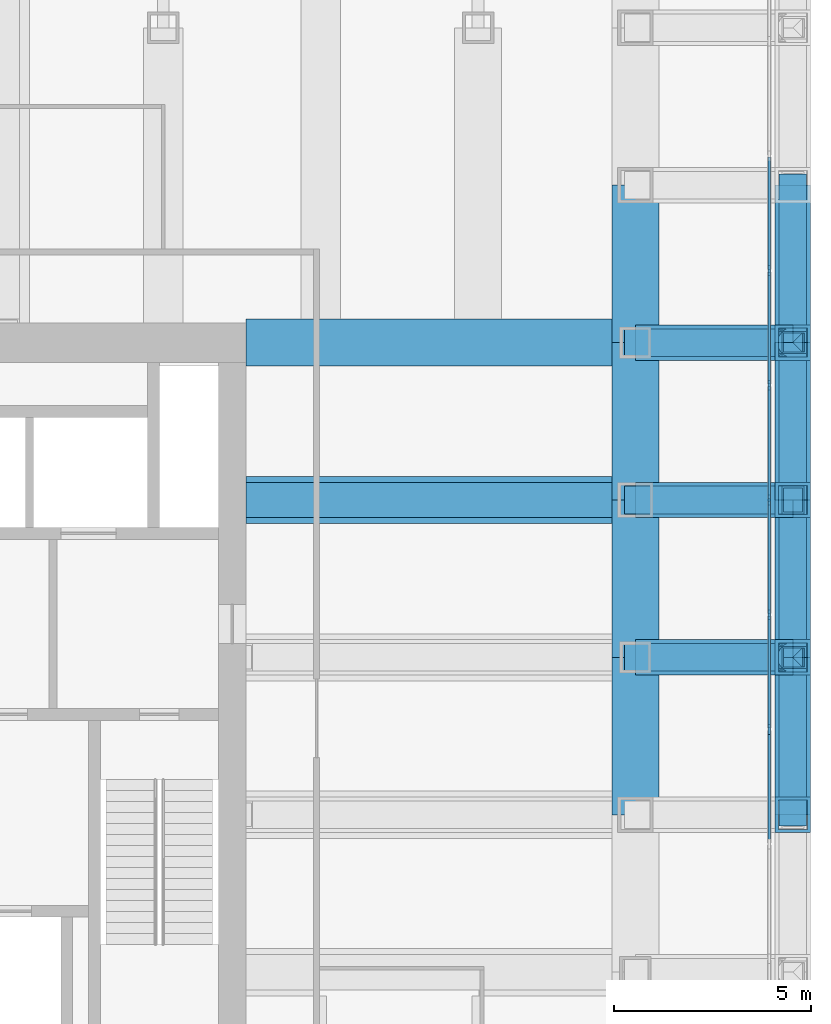
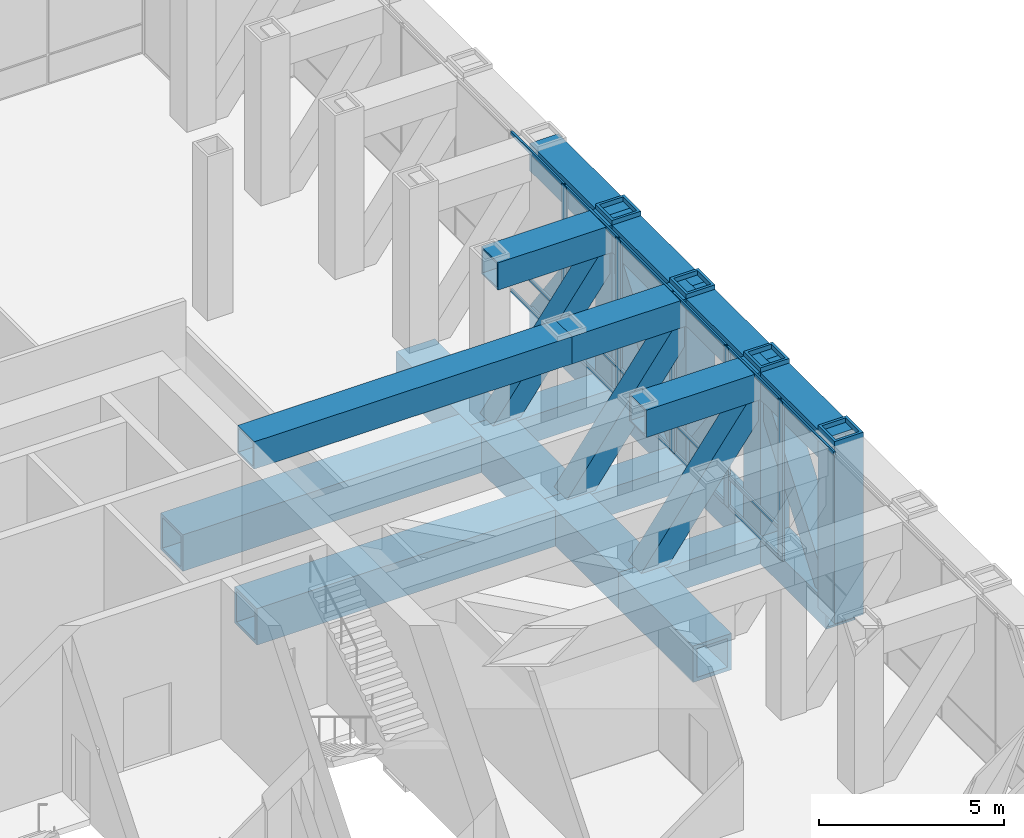
# One storey, part 5 of 12: 32 members, 21 beams, 1 element without a shape of its own.
"""IFC4 building model written with IfcOpenShell, lengths in metres."""

from ifc_helpers import new_model, si_unit, direction, frame, origin, origin_2d, place, context, subcontext, project, spatial, rectangle, hollow_rectangle, extrude, material, material_profile, profile_set, type_object, element, aggregate, save


model = new_model("IFC4")

# Units and contexts
model_context = context("Model", 3, precision=1e-05, world=origin(), true_north=direction((0.0, 1.0)))
body_context = subcontext(model_context, "Body", "Model", "MODEL_VIEW")
ifc_project = project(units=[si_unit("LENGTHUNIT", "METRE"), si_unit("AREAUNIT", "SQUARE_METRE"), si_unit("VOLUMEUNIT", "CUBIC_METRE"), si_unit("PLANEANGLEUNIT", "RADIAN"), si_unit("MASSUNIT", "GRAM", prefix="KILO")], contexts=[model_context])

# Site, building, storey
site_placement = place(None, origin())
site = spatial("IfcSite", under=ifc_project, at=site_placement, CompositionType="ELEMENT")
building_placement = place(site_placement, origin())
building = spatial("IfcBuilding", under=site, at=building_placement, Name="Rimbunsela Tower", CompositionType="ELEMENT")
storey_placement = place(building_placement, frame((0.0, 0.0, 203.800048828125)))
storey = spatial("IfcBuildingStorey", under=building, at=storey_placement, Name="L49", CompositionType="ELEMENT", Elevation=203.800048828125)

# Beams
ifc_material_1 = material(Name="Steel BJ 55 (fy 410 MPa)", Category="steel")
ifc_material_profile_1 = material_profile(ifc_material_1, hollow_rectangle(XDim=1.199951171875, YDim=1.199951171875, WallThickness=0.10009765625, at=origin_2d()), Name="BOX 1200x1200x100")
ifc_profile_set_1 = profile_set([ifc_material_profile_1], Name="Steel BJ 55 (fy 410 MPa)")
beam_type_1 = type_object("IfcBeamType", Name="Beam BOX 1200x1200x100", PredefinedType="BEAM", material=ifc_profile_set_1)
for number, where, z_axis, x_axis, name in (
    (1, (36.10009765625, 32.0, -0.75), (1.0, 0.0, 0.0), (0.0, 1.0, 0.0), "Beam B5 L49"),
    (2, (36.10009765625, 36.0, -0.75), (1.0, 0.0, 0.0), (0.0, 1.0, 0.0), "Beam B5 L49"),
):
    element("IfcBeam", number, at=place(storey_placement, frame(where, z_axis=z_axis, x_axis=x_axis)), inside=storey, type_object=beam_type_1, Name=name, PredefinedType="BEAM", context=body_context, shape_type="SweptSolid", body=[
        extrude(hollow_rectangle(XDim=1.199951171875, YDim=1.199951171875, WallThickness=0.10009765625, at=origin_2d()), origin(), (0.0, 0.0, 1.0), 9.89990234375),
    ])
ifc_material_2 = material(Name="Steel BJ 55 (fy 410 MPa)", Category="steel")
ifc_material_profile_2 = material_profile(ifc_material_2, hollow_rectangle(XDim=1.199951171875, YDim=1.199951171875, WallThickness=0.125, at=origin_2d()), Name="BOX 1200x1200x125")
ifc_profile_set_2 = profile_set([ifc_material_profile_2], Name="Steel BJ 55 (fy 410 MPa)")
beam_type_2 = type_object("IfcBeamType", Name="Beam BOX 1200x1200x125", PredefinedType="BEAM", material=ifc_profile_set_2)
for number, where, z_axis, x_axis, name in (
    (3, (46.0, 24.0, -0.75), (0.0, 1.0, 0.0), (-1.0, 0.0, 0.0), "Beam B4 L49"),
    (4, (46.0, 28.0, -0.75), (0.0, 1.0, 0.0), (-1.0, 0.0, 0.0), "Beam B4 L49"),
    (5, (46.0, 32.0, -0.75), (0.0, 1.0, 0.0), (-1.0, 0.0, 0.0), "Beam B4 L49"),
    (6, (46.0, 36.0, -0.75), (0.0, 1.0, 0.0), (-1.0, 0.0, 0.0), "Beam B4 L49"),
):
    element("IfcBeam", number, at=place(storey_placement, frame(where, z_axis=z_axis, x_axis=x_axis)), inside=storey, type_object=beam_type_2, Name=name, PredefinedType="BEAM", context=body_context, shape_type="SweptSolid", body=[
        extrude(hollow_rectangle(XDim=1.199951171875, YDim=1.199951171875, WallThickness=0.125, at=origin_2d()), origin(), (0.0, 0.0, 1.0), 4.0),
    ])

# Curtain wall, members
ifc_material_3 = material(Name="Aluminium curtain wall", Category="aluminium")
curtain_wall_type = type_object("IfcCurtainWallType", Name="Plant floor louvre wall", PredefinedType="USERDEFINED", material=ifc_material_3)
curtain_wall_placement = place(storey_placement, origin())
curtain_wall = element("IfcCurtainWall", 7, at=curtain_wall_placement, inside=storey, type_object=curtain_wall_type, Name="Plant floor louvre wall L49", ObjectType="PLANT FLOOR LOUVRE WALL", PredefinedType="USERDEFINED")
ifc_material_4 = material(Name="Aluminium mullion", Category="aluminium")
ifc_material_profile_3 = material_profile(ifc_material_4, rectangle(XDim=0.06005859375, YDim=0.25, at=origin_2d()), Name="Mullion 60x250")
ifc_profile_set_3 = profile_set([ifc_material_profile_3], Name="Aluminium mullion")
member_type_1 = type_object("IfcMemberType", Name="Curtain wall mullion 60x250", PredefinedType="MULLION", material=ifc_profile_set_3)
member_1_placement = place(storey_placement, frame((49.39990234375, 26.17138671875, 0.0), z_axis=(0.0, 0.0, 1.0), x_axis=(-1.0, 0.0, 0.0)))
member_1 = element("IfcMember", 8, at=member_1_placement, type_object=member_type_1, Name="CW3 mullion 6", PredefinedType="MULLION", context=body_context, shape_type="SweptSolid", body=[
    extrude(rectangle(XDim=0.06005859375, YDim=0.25, at=origin_2d()), origin(), (0.0, 0.0, 1.0), 5.25),
])
member_2_placement = place(storey_placement, frame((49.39990234375, 29.085693359375, 0.0), z_axis=(0.0, 0.0, 1.0), x_axis=(-1.0, 0.0, 0.0)))
member_2 = element("IfcMember", 9, at=member_2_placement, type_object=member_type_1, Name="CW3 mullion 7", PredefinedType="MULLION", context=body_context, shape_type="SweptSolid", body=[
    extrude(rectangle(XDim=0.06005859375, YDim=0.25, at=origin_2d()), origin(), (0.0, 0.0, 1.0), 5.25),
])
member_3_placement = place(storey_placement, frame((49.39990234375, 32.0, 0.0), z_axis=(0.0, 0.0, 1.0), x_axis=(-1.0, 0.0, 0.0)))
member_3 = element("IfcMember", 10, at=member_3_placement, type_object=member_type_1, Name="CW3 mullion 8", PredefinedType="MULLION", context=body_context, shape_type="SweptSolid", body=[
    extrude(rectangle(XDim=0.06005859375, YDim=0.25, at=origin_2d()), origin(), (0.0, 0.0, 1.0), 5.25),
])
member_4_placement = place(storey_placement, frame((49.39990234375, 34.914306640625, 0.0), z_axis=(0.0, 0.0, 1.0), x_axis=(-1.0, 0.0, 0.0)))
member_4 = element("IfcMember", 11, at=member_4_placement, type_object=member_type_1, Name="CW3 mullion 9", PredefinedType="MULLION", context=body_context, shape_type="SweptSolid", body=[
    extrude(rectangle(XDim=0.06005859375, YDim=0.25, at=origin_2d()), origin(), (0.0, 0.0, 1.0), 5.25),
])
member_5_placement = place(storey_placement, frame((49.39990234375, 37.82861328125, 0.0), z_axis=(0.0, 0.0, 1.0), x_axis=(-1.0, 0.0, 0.0)))
member_5 = element("IfcMember", 12, at=member_5_placement, type_object=member_type_1, Name="CW3 mullion 10", PredefinedType="MULLION", context=body_context, shape_type="SweptSolid", body=[
    extrude(rectangle(XDim=0.06005859375, YDim=0.25, at=origin_2d()), origin(), (0.0, 0.0, 1.0), 5.25),
])
ifc_material_5 = material(Name="Aluminium transom", Category="aluminium")
ifc_material_profile_4 = material_profile(ifc_material_5, rectangle(XDim=0.06005859375, YDim=0.1201171875, at=origin_2d()), Name="Transom 60x120")
ifc_profile_set_4 = profile_set([ifc_material_profile_4], Name="Aluminium transom")
member_type_2 = type_object("IfcMemberType", Name="Curtain wall transom 60x120", PredefinedType="USERDEFINED", material=ifc_profile_set_4)
member_6_placement = place(storey_placement, frame((49.39990234375, 23.287109375, 5.219970703125), z_axis=(0.0, 1.0, 0.0), x_axis=(-1.0, 0.0, 0.0)))
member_6 = element("IfcMember", 13, at=member_6_placement, type_object=member_type_2, Name="CW3 transom 5.3", ObjectType="TRANSOM", PredefinedType="USERDEFINED", context=body_context, shape_type="SweptSolid", body=[
    extrude(rectangle(XDim=0.06005859375, YDim=0.1201171875, at=origin_2d()), origin(), (0.0, 0.0, 1.0), 2.854248046875),
])
member_7_placement = place(storey_placement, frame((49.39990234375, 26.201416015625, 0.030029296875), z_axis=(0.0, 1.0, 0.0), x_axis=(-1.0, 0.0, 0.0)))
member_7 = element("IfcMember", 14, at=member_7_placement, type_object=member_type_2, Name="CW3 transom 6.1", ObjectType="TRANSOM", PredefinedType="USERDEFINED", context=body_context, shape_type="SweptSolid", body=[
    extrude(rectangle(XDim=0.06005859375, YDim=0.1201171875, at=origin_2d()), origin(), (0.0, 0.0, 1.0), 2.854248046875),
])
member_8_placement = place(storey_placement, frame((49.39990234375, 26.201416015625, 1.0), z_axis=(0.0, 1.0, 0.0), x_axis=(-1.0, 0.0, 0.0)))
member_8 = element("IfcMember", 15, at=member_8_placement, type_object=member_type_2, Name="CW3 transom 6.2", ObjectType="TRANSOM", PredefinedType="USERDEFINED", context=body_context, shape_type="SweptSolid", body=[
    extrude(rectangle(XDim=0.06005859375, YDim=0.1201171875, at=origin_2d()), origin(), (0.0, 0.0, 1.0), 2.854248046875),
])
member_9_placement = place(storey_placement, frame((49.39990234375, 26.201416015625, 5.219970703125), z_axis=(0.0, 1.0, 0.0), x_axis=(-1.0, 0.0, 0.0)))
member_9 = element("IfcMember", 16, at=member_9_placement, type_object=member_type_2, Name="CW3 transom 6.3", ObjectType="TRANSOM", PredefinedType="USERDEFINED", context=body_context, shape_type="SweptSolid", body=[
    extrude(rectangle(XDim=0.06005859375, YDim=0.1201171875, at=origin_2d()), origin(), (0.0, 0.0, 1.0), 2.854248046875),
])
member_10_placement = place(storey_placement, frame((49.39990234375, 29.11572265625, 0.030029296875), z_axis=(0.0, 1.0, 0.0), x_axis=(-1.0, 0.0, 0.0)))
member_10 = element("IfcMember", 17, at=member_10_placement, type_object=member_type_2, Name="CW3 transom 7.1", ObjectType="TRANSOM", PredefinedType="USERDEFINED", context=body_context, shape_type="SweptSolid", body=[
    extrude(rectangle(XDim=0.06005859375, YDim=0.1201171875, at=origin_2d()), origin(), (0.0, 0.0, 1.0), 2.854248046875),
])
member_11_placement = place(storey_placement, frame((49.39990234375, 29.11572265625, 1.0), z_axis=(0.0, 1.0, 0.0), x_axis=(-1.0, 0.0, 0.0)))
member_11 = element("IfcMember", 18, at=member_11_placement, type_object=member_type_2, Name="CW3 transom 7.2", ObjectType="TRANSOM", PredefinedType="USERDEFINED", context=body_context, shape_type="SweptSolid", body=[
    extrude(rectangle(XDim=0.06005859375, YDim=0.1201171875, at=origin_2d()), origin(), (0.0, 0.0, 1.0), 2.854248046875),
])
member_12_placement = place(storey_placement, frame((49.39990234375, 29.11572265625, 5.219970703125), z_axis=(0.0, 1.0, 0.0), x_axis=(-1.0, 0.0, 0.0)))
member_12 = element("IfcMember", 19, at=member_12_placement, type_object=member_type_2, Name="CW3 transom 7.3", ObjectType="TRANSOM", PredefinedType="USERDEFINED", context=body_context, shape_type="SweptSolid", body=[
    extrude(rectangle(XDim=0.06005859375, YDim=0.1201171875, at=origin_2d()), origin(), (0.0, 0.0, 1.0), 2.854248046875),
])
member_13_placement = place(storey_placement, frame((49.39990234375, 32.030029296875, 0.030029296875), z_axis=(0.0, 1.0, 0.0), x_axis=(-1.0, 0.0, 0.0)))
member_13 = element("IfcMember", 20, at=member_13_placement, type_object=member_type_2, Name="CW3 transom 8.1", ObjectType="TRANSOM", PredefinedType="USERDEFINED", context=body_context, shape_type="SweptSolid", body=[
    extrude(rectangle(XDim=0.06005859375, YDim=0.1201171875, at=origin_2d()), origin(), (0.0, 0.0, 1.0), 2.854248046875),
])
member_14_placement = place(storey_placement, frame((49.39990234375, 32.030029296875, 1.0), z_axis=(0.0, 1.0, 0.0), x_axis=(-1.0, 0.0, 0.0)))
member_14 = element("IfcMember", 21, at=member_14_placement, type_object=member_type_2, Name="CW3 transom 8.2", ObjectType="TRANSOM", PredefinedType="USERDEFINED", context=body_context, shape_type="SweptSolid", body=[
    extrude(rectangle(XDim=0.06005859375, YDim=0.1201171875, at=origin_2d()), origin(), (0.0, 0.0, 1.0), 2.854248046875),
])
member_15_placement = place(storey_placement, frame((49.39990234375, 32.030029296875, 5.219970703125), z_axis=(0.0, 1.0, 0.0), x_axis=(-1.0, 0.0, 0.0)))
member_15 = element("IfcMember", 22, at=member_15_placement, type_object=member_type_2, Name="CW3 transom 8.3", ObjectType="TRANSOM", PredefinedType="USERDEFINED", context=body_context, shape_type="SweptSolid", body=[
    extrude(rectangle(XDim=0.06005859375, YDim=0.1201171875, at=origin_2d()), origin(), (0.0, 0.0, 1.0), 2.854248046875),
])
member_16_placement = place(storey_placement, frame((49.39990234375, 34.9443359375, 0.030029296875), z_axis=(0.0, 1.0, 0.0), x_axis=(-1.0, 0.0, 0.0)))
member_16 = element("IfcMember", 23, at=member_16_placement, type_object=member_type_2, Name="CW3 transom 9.1", ObjectType="TRANSOM", PredefinedType="USERDEFINED", context=body_context, shape_type="SweptSolid", body=[
    extrude(rectangle(XDim=0.06005859375, YDim=0.1201171875, at=origin_2d()), origin(), (0.0, 0.0, 1.0), 2.854248046875),
])
member_17_placement = place(storey_placement, frame((49.39990234375, 34.9443359375, 1.0), z_axis=(0.0, 1.0, 0.0), x_axis=(-1.0, 0.0, 0.0)))
member_17 = element("IfcMember", 24, at=member_17_placement, type_object=member_type_2, Name="CW3 transom 9.2", ObjectType="TRANSOM", PredefinedType="USERDEFINED", context=body_context, shape_type="SweptSolid", body=[
    extrude(rectangle(XDim=0.06005859375, YDim=0.1201171875, at=origin_2d()), origin(), (0.0, 0.0, 1.0), 2.854248046875),
])
member_18_placement = place(storey_placement, frame((49.39990234375, 34.9443359375, 5.219970703125), z_axis=(0.0, 1.0, 0.0), x_axis=(-1.0, 0.0, 0.0)))
member_18 = element("IfcMember", 25, at=member_18_placement, type_object=member_type_2, Name="CW3 transom 9.3", ObjectType="TRANSOM", PredefinedType="USERDEFINED", context=body_context, shape_type="SweptSolid", body=[
    extrude(rectangle(XDim=0.06005859375, YDim=0.1201171875, at=origin_2d()), origin(), (0.0, 0.0, 1.0), 2.854248046875),
])
member_19_placement = place(storey_placement, frame((49.39990234375, 37.858642578125, 0.030029296875), z_axis=(0.0, 1.0, 0.0), x_axis=(-1.0, 0.0, 0.0)))
member_19 = element("IfcMember", 26, at=member_19_placement, type_object=member_type_2, Name="CW3 transom 10.1", ObjectType="TRANSOM", PredefinedType="USERDEFINED", context=body_context, shape_type="SweptSolid", body=[
    extrude(rectangle(XDim=0.06005859375, YDim=0.1201171875, at=origin_2d()), origin(), (0.0, 0.0, 1.0), 2.854248046875),
])
member_20_placement = place(storey_placement, frame((49.39990234375, 37.858642578125, 1.0), z_axis=(0.0, 1.0, 0.0), x_axis=(-1.0, 0.0, 0.0)))
member_20 = element("IfcMember", 27, at=member_20_placement, type_object=member_type_2, Name="CW3 transom 10.2", ObjectType="TRANSOM", PredefinedType="USERDEFINED", context=body_context, shape_type="SweptSolid", body=[
    extrude(rectangle(XDim=0.06005859375, YDim=0.1201171875, at=origin_2d()), origin(), (0.0, 0.0, 1.0), 2.854248046875),
])
member_21_placement = place(storey_placement, frame((49.39990234375, 37.858642578125, 5.219970703125), z_axis=(0.0, 1.0, 0.0), x_axis=(-1.0, 0.0, 0.0)))
member_21 = element("IfcMember", 28, at=member_21_placement, type_object=member_type_2, Name="CW3 transom 10.3", ObjectType="TRANSOM", PredefinedType="USERDEFINED", context=body_context, shape_type="SweptSolid", body=[
    extrude(rectangle(XDim=0.06005859375, YDim=0.1201171875, at=origin_2d()), origin(), (0.0, 0.0, 1.0), 2.854248046875),
])
aggregate(curtain_wall, [member_1, member_2, member_3, member_4, member_5, member_6, member_7, member_8, member_9, member_10, member_11, member_12, member_13, member_14, member_15, member_16, member_17, member_18, member_19, member_20, member_21])

# Beams
ifc_material_6 = material(Name="Steel BJ 55 (fy 410 MPa)", Category="steel")
ifc_material_profile_5 = material_profile(ifc_material_6, hollow_rectangle(XDim=0.89990234375, YDim=0.89990234375, WallThickness=0.06005859375, at=origin_2d()), Name="BOX 900x900x60")
ifc_profile_set_5 = profile_set([ifc_material_profile_5], Name="Steel BJ 55 (fy 410 MPa)")
beam_type_3 = type_object("IfcBeamType", Name="Truss chord BOX 900x900x60", PredefinedType="USERDEFINED", material=ifc_profile_set_5)
for number, where, z_axis, x_axis, name in (
    (29, (50.0, 24.0, 4.800048828125), (0.0, 1.0, 0.0), (-1.0, 0.0, 0.0), "Truss top chord TC4 E face L49"),
    (30, (50.0, 28.0, 4.800048828125), (0.0, 1.0, 0.0), (-1.0, 0.0, 0.0), "Truss top chord TC4 E face L49"),
    (31, (50.0, 32.0, 4.800048828125), (0.0, 1.0, 0.0), (-1.0, 0.0, 0.0), "Truss top chord TC4 E face L49"),
    (32, (50.0, 36.0, 4.800048828125), (0.0, 1.0, 0.0), (-1.0, 0.0, 0.0), "Truss top chord TC4 E face L49"),
    (33, (46.0, 28.0, -0.60009765625), (1.0, 0.0, 0.0), (0.0, 1.0, 0.0), "Cantilever truss bottom chord TC4 15/J L49"),
    (34, (46.0, 28.0, 4.800048828125), (1.0, 0.0, 0.0), (0.0, 1.0, 0.0), "Cantilever truss top chord TC4 15/J L49"),
    (35, (46.0, 32.0, -0.60009765625), (1.0, 0.0, 0.0), (0.0, 1.0, 0.0), "Cantilever truss bottom chord TC4 15/K L49"),
):
    element("IfcBeam", number, at=place(storey_placement, frame(where, z_axis=z_axis, x_axis=x_axis)), inside=storey, type_object=beam_type_3, Name=name, ObjectType="TRUSS CHORD", PredefinedType="USERDEFINED", context=body_context, shape_type="SweptSolid", body=[
        extrude(hollow_rectangle(XDim=0.89990234375, YDim=0.89990234375, WallThickness=0.06005859375, at=origin_2d()), origin(), (0.0, 0.0, 1.0), 4.0),
    ])
beam_placement = place(storey_placement, frame((36.10009765625, 32.0, 4.800048828125), z_axis=(1.0, 0.0, 0.0), x_axis=(0.0, 1.0, 0.0)))
element("IfcBeam", 36, at=beam_placement, inside=storey, type_object=beam_type_3, Name="Cantilever truss top chord TC4 15/K L49", ObjectType="TRUSS CHORD", PredefinedType="USERDEFINED", context=body_context, shape_type="SweptSolid", body=[
    extrude(hollow_rectangle(XDim=0.89990234375, YDim=0.89990234375, WallThickness=0.06005859375, at=origin_2d()), origin(), (0.0, 0.0, 1.0), 9.89990234375),
])
for number, where, z_axis, x_axis, name in (
    (37, (46.0, 32.0, 4.800048828125), (1.0, 0.0, 0.0), (0.0, 1.0, 0.0), "Cantilever truss top chord TC4 15/K L49"),
    (38, (46.0, 36.0, -0.60009765625), (1.0, 0.0, 0.0), (0.0, 1.0, 0.0), "Cantilever truss bottom chord TC4 15/L L49"),
    (39, (46.0, 36.0, 4.800048828125), (1.0, 0.0, 0.0), (0.0, 1.0, 0.0), "Cantilever truss top chord TC4 15/L L49"),
    (40, (50.0, 24.0, -0.60009765625), (0.0, 1.0, 0.0), (-1.0, 0.0, 0.0), "Truss bottom chord TC4 E face L49"),
    (41, (50.0, 28.0, -0.60009765625), (0.0, 1.0, 0.0), (-1.0, 0.0, 0.0), "Truss bottom chord TC4 E face L49"),
    (42, (50.0, 32.0, -0.60009765625), (0.0, 1.0, 0.0), (-1.0, 0.0, 0.0), "Truss bottom chord TC4 E face L49"),
    (43, (50.0, 36.0, -0.60009765625), (0.0, 1.0, 0.0), (-1.0, 0.0, 0.0), "Truss bottom chord TC4 E face L49"),
):
    element("IfcBeam", number, at=place(storey_placement, frame(where, z_axis=z_axis, x_axis=x_axis)), inside=storey, type_object=beam_type_3, Name=name, ObjectType="TRUSS CHORD", PredefinedType="USERDEFINED", context=body_context, shape_type="SweptSolid", body=[
        extrude(hollow_rectangle(XDim=0.89990234375, YDim=0.89990234375, WallThickness=0.06005859375, at=origin_2d()), origin(), (0.0, 0.0, 1.0), 4.0),
    ])

# Members
ifc_material_7 = material(Name="Steel BJ 55 (fy 410 MPa)", Category="steel")
ifc_material_profile_6 = material_profile(ifc_material_7, hollow_rectangle(XDim=0.699951171875, YDim=0.699951171875, WallThickness=0.050048828125, at=origin_2d()), Name="BOX 700x700x50")
ifc_profile_set_6 = profile_set([ifc_material_profile_6], Name="Steel BJ 55 (fy 410 MPa)")
member_type_3 = type_object("IfcMemberType", Name="Truss diagonal BOX 700x700x50", PredefinedType="BRACE", material=ifc_profile_set_6)
for number, where, z_axis, x_axis, name in (
    (44, (50.0, 24.0, -0.60009765625), (0.0, 0.595217124844, 0.803564916041), (-1.0, 0.0, 0.0), "Truss diagonal TD4 E face L49"),
    (45, (50.0, 28.0, 4.800048828125), (0.0, 0.595217124844, -0.803564916041), (-1.0, 0.0, 0.0), "Truss diagonal TD4 E face L49"),
    (46, (50.0, 32.0, -0.60009765625), (0.0, 0.595217124844, 0.803564916041), (-1.0, 0.0, 0.0), "Truss diagonal TD4 E face L49"),
    (47, (50.0, 36.0, 4.800048828125), (0.0, 0.595217124844, -0.803564916041), (-1.0, 0.0, 0.0), "Truss diagonal TD4 E face L49"),
    (48, (46.0, 28.0, -0.60009765625), (0.595217124844, 0.0, 0.803564916041), (0.0, 1.0, 0.0), "Cantilever truss diagonal TD4 15/J L49"),
    (49, (46.0, 32.0, -0.60009765625), (0.595217124844, 0.0, 0.803564916041), (0.0, 1.0, 0.0), "Cantilever truss diagonal TD4 15/K L49"),
    (50, (46.0, 36.0, -0.60009765625), (0.595217124844, 0.0, 0.803564916041), (0.0, 1.0, 0.0), "Cantilever truss diagonal TD4 15/L L49"),
):
    element("IfcMember", number, at=place(storey_placement, frame(where, z_axis=z_axis, x_axis=x_axis)), inside=storey, type_object=member_type_3, Name=name, PredefinedType="BRACE", context=body_context, shape_type="SweptSolid", body=[
        extrude(hollow_rectangle(XDim=0.699951171875, YDim=0.699951171875, WallThickness=0.050048828125, at=origin_2d()), origin(), (0.0, 0.0, 1.0), 6.72021484375),
    ])
ifc_material_8 = material(Name="Steel BJ 55 (fy 410 MPa)", Category="steel")
ifc_material_profile_7 = material_profile(ifc_material_8, hollow_rectangle(XDim=0.89990234375, YDim=0.89990234375, WallThickness=0.080078125, at=origin_2d()), Name="BOX 900x900x80")
ifc_profile_set_7 = profile_set([ifc_material_profile_7], Name="Steel BJ 55 (fy 410 MPa)")
member_type_4 = type_object("IfcMemberType", Name="Truss post BOX 900x900x80", PredefinedType="POST", material=ifc_profile_set_7)
for number, where, z_axis, x_axis, name in (
    (51, (50.0, 24.0, -0.60009765625), (0.0, 0.0, 1.0), (1.0, 0.0, 0.0), "Truss post TP3 15/H L49"),
    (52, (50.0, 28.0, -0.60009765625), (0.0, 0.0, 1.0), (1.0, 0.0, 0.0), "Truss post TP3 15/J L49"),
    (53, (50.0, 32.0, -0.60009765625), (0.0, 0.0, 1.0), (1.0, 0.0, 0.0), "Truss post TP3 15/K L49"),
    (54, (50.0, 36.0, -0.60009765625), (0.0, 0.0, 1.0), (1.0, 0.0, 0.0), "Truss post TP3 15/L L49"),
):
    element("IfcMember", number, at=place(storey_placement, frame(where, z_axis=z_axis, x_axis=x_axis)), inside=storey, type_object=member_type_4, Name=name, PredefinedType="POST", context=body_context, shape_type="SweptSolid", body=[
        extrude(hollow_rectangle(XDim=0.89990234375, YDim=0.89990234375, WallThickness=0.080078125, at=origin_2d()), origin(), (0.0, 0.0, 1.0), 6.0),
    ])

save(model, "model.ifc")
